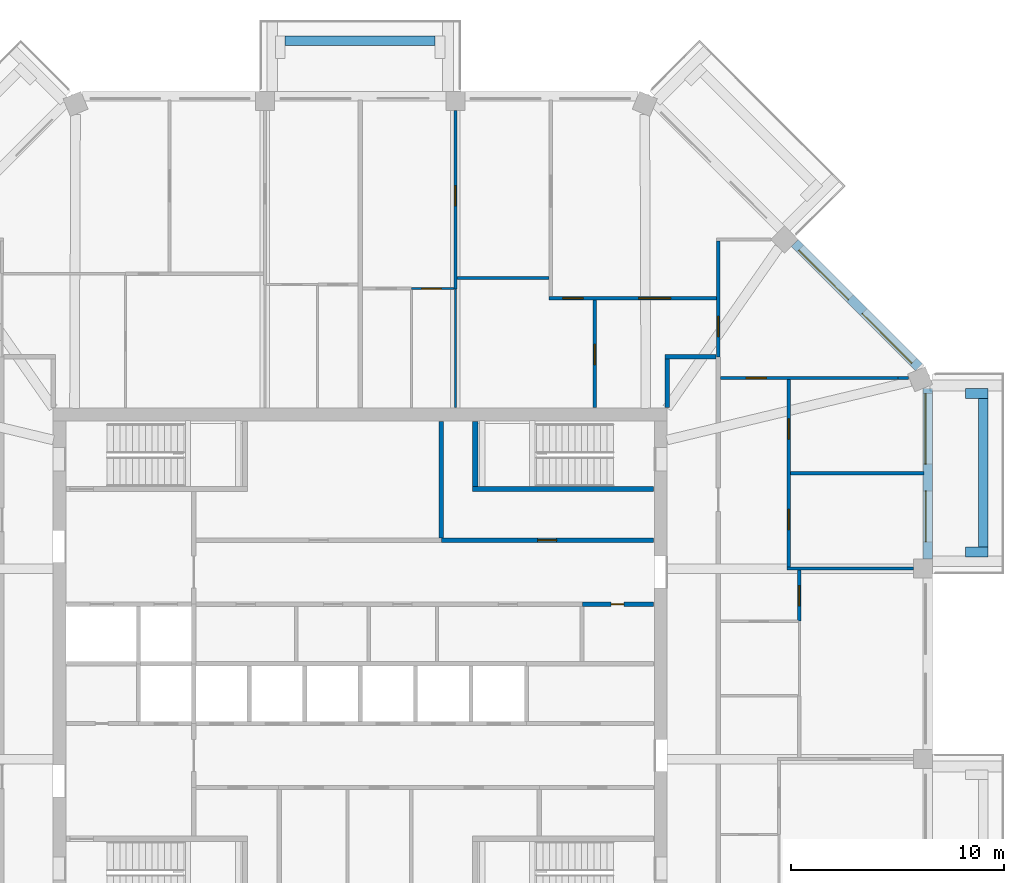
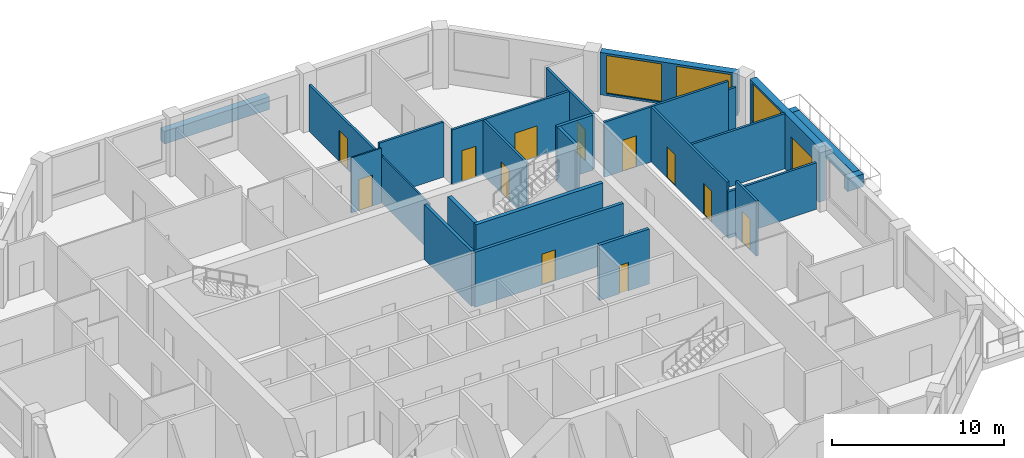
# One storey, part 9 of 12: 26 walls, 13 doors, 3 windows, 16 openings.
"""IFC4 building model written with IfcOpenShell, lengths in metres."""

from ifc_helpers import new_model, si_unit, direction, frame, frame_2d, origin, place, context, subcontext, project, spatial, rectangle, extrude, material, layer, layer_set, type_object, element, fill, save


model = new_model("IFC4")

# Units and contexts
model_context = context("Model", 3, precision=1e-05, world=origin(), true_north=direction((0.0, 1.0)))
body_context = subcontext(model_context, "Body", "Model", "MODEL_VIEW")
ifc_project = project(units=[si_unit("LENGTHUNIT", "METRE"), si_unit("AREAUNIT", "SQUARE_METRE"), si_unit("VOLUMEUNIT", "CUBIC_METRE"), si_unit("PLANEANGLEUNIT", "RADIAN"), si_unit("MASSUNIT", "GRAM", prefix="KILO")], contexts=[model_context])

# Site, building, storey
site_placement = place(None, origin())
site = spatial("IfcSite", under=ifc_project, at=site_placement, CompositionType="ELEMENT")
building_placement = place(site_placement, origin())
building = spatial("IfcBuilding", under=site, at=building_placement, Name="Msitu Wima Residences", CompositionType="ELEMENT")
storey_placement = place(building_placement, frame((0.0, 0.0, 310.5)))
storey = spatial("IfcBuildingStorey", under=building, at=storey_placement, Name="L72", CompositionType="ELEMENT", Elevation=310.5)

# Walls
ifc_material_1 = material(Name="Facing brick")
ifc_layer_1 = layer(ifc_material_1, 0.06494140625, Name="Facing brick")
ifc_material_2 = material(Name="Concrete C40/50", Category="concrete")
ifc_layer_2 = layer(ifc_material_2, 0.156005859375, Name="Concrete C40/50")
ifc_material_3 = material(Name="Waterproofing membrane")
ifc_layer_3 = layer(ifc_material_3, 0.00390625, Name="Waterproofing membrane")
ifc_material_4 = material(Name="Planting soil and planting")
ifc_layer_4 = layer(ifc_material_4, 0.22509765625, Name="Planting soil and planting")
ifc_layer_set_1 = layer_set([ifc_layer_1, ifc_layer_2, ifc_layer_3, ifc_layer_4], Name="Concrete C40/50")
wall_type_1 = type_object("IfcWallType", Name="Balcony planter PLANTER PL450", PredefinedType="USERDEFINED", material=ifc_layer_set_1)
wall_1_placement = place(storey_placement, frame((29.22509765625, 5.468505859375, 0.0), z_axis=(0.0, 0.0, 1.0), x_axis=(0.0, 1.0, 0.0)))
element("IfcWall", 1, at=wall_1_placement, inside=storey, type_object=wall_type_1, Name="Balcony planter E2 L72", ObjectType="PLANTER", PredefinedType="USERDEFINED", context=body_context, shape_type="SweptSolid", body=[
    extrude(rectangle(XDim=6.9873046875, YDim=0.449951171875, at=frame_2d((3.49365234375, 0.0))), origin(), (0.0, 0.0, 1.0), 0.89990234375),
])
for number, where, z_axis, x_axis, name in (
    (2, (28.39990234375, 5.24365234375, 0.0), (0.0, 0.0, 1.0), (1.0, 0.0, 0.0), "Balcony planter E2 L72"),
    (3, (28.39990234375, 12.680908203125, 0.0), (0.0, 0.0, 1.0), (1.0, 0.0, 0.0), "Balcony planter E2 L72"),
):
    element("IfcWall", number, at=place(storey_placement, frame(where, z_axis=z_axis, x_axis=x_axis)), inside=storey, type_object=wall_type_1, Name=name, ObjectType="PLANTER", PredefinedType="USERDEFINED", context=body_context, shape_type="SweptSolid", body=[
        extrude(rectangle(XDim=1.050048828125, YDim=0.449951171875, at=frame_2d((0.52490234375, 0.0))), origin(), (0.0, 0.0, 1.0), 0.89990234375),
    ])
wall_2_placement = place(storey_placement, frame((3.5185546875, 29.22509765625, 0.0), z_axis=(0.0, 0.0, 1.0), x_axis=(-1.0, 0.0, 0.0)))
element("IfcWall", 4, at=wall_2_placement, inside=storey, type_object=wall_type_1, Name="Balcony planter N1 L72", ObjectType="PLANTER", PredefinedType="USERDEFINED", context=body_context, shape_type="SweptSolid", body=[
    extrude(rectangle(XDim=7.037109375, YDim=0.449951171875, at=frame_2d((3.5185546875, 0.0))), origin(), (0.0, 0.0, 1.0), 0.89990234375),
])

# Wall, openings, door, window
ifc_material_5 = material(Name="Brick (red buff mix)", Category="masonry")
ifc_layer_5 = layer(ifc_material_5, 0.449951171875)
ifc_layer_set_2 = layer_set([ifc_layer_5], Name="Brick (red buff mix)")
wall_type_2 = type_object("IfcWallType", Name="Brick infill wall BW450", PredefinedType="SOLIDWALL", material=ifc_layer_set_2)
wall_3_placement = place(storey_placement, frame((26.625, 4.918701171875, 0.0), z_axis=(0.0, 0.0, 1.0), x_axis=(0.0, 1.0, 0.0)))
wall_3 = element("IfcWall", 5, at=wall_3_placement, inside=storey, type_object=wall_type_2, Name="Brick infill wall L72 E2", PredefinedType="SOLIDWALL", context=body_context, shape_type="SweptSolid", body=[
    extrude(rectangle(XDim=8.0, YDim=0.449951171875, at=frame_2d((4.0, 0.0))), origin(), (0.0, 0.0, 1.0), 3.89990234375),
])
opening_1_placement = place(wall_3_placement, frame((0.800048828125, 0.0, 0.0)))
opening_1 = element("IfcOpeningElement", 6, at=opening_1_placement, cuts=wall_3, Name="Opening D72.002", PredefinedType="OPENING", context=body_context, shape_type="SweptSolid", body=[
    extrude(rectangle(XDim=2.39990234375, YDim=2.699951171875, at=frame_2d((1.199951171875, 1.35009765625))), frame((0.0, 0.23486328125, 0.0), z_axis=(0.0, -1.0, 0.0), x_axis=(1.0, 0.0, 0.0)), (0.0, 0.0, 1.0), 0.469970703125),
])
opening_2_placement = place(wall_3_placement, frame((4.4501953125, 0.0, 1.050048828125)))
opening_2 = element("IfcOpeningElement", 7, at=opening_2_placement, cuts=wall_3, Name="Opening W72.004", PredefinedType="OPENING", context=body_context, shape_type="SweptSolid", body=[
    extrude(rectangle(XDim=3.300048828125, YDim=2.699951171875, at=frame_2d((1.64990234375, 1.35009765625))), frame((0.0, 0.23486328125, 0.0), z_axis=(0.0, -1.0, 0.0), x_axis=(1.0, 0.0, 0.0)), (0.0, 0.0, 1.0), 0.469970703125),
])
ifc_material_6 = material(Name="Anodised aluminium, bronze finish, clear low-emissivity double glazing", Category="aluminium")
door_type_1 = type_object("IfcDoorType", Name="Balcony door D2400x2700", OperationType="SLIDING_TO_LEFT", PredefinedType="DOOR", material=ifc_material_6)
door_1_placement = place(opening_1_placement, origin())
door_1 = element("IfcDoor", 8, at=door_1_placement, inside=storey, type_object=door_type_1, Name="Balcony door L72 E2", OperationType="SINGLE_SWING_LEFT", OverallHeight=2.699951171875, OverallWidth=2.39990234375, PredefinedType="DOOR", context=body_context, shape_type="SweptSolid", body=[
    extrude(rectangle(XDim=2.39990234375, YDim=2.699951171875, at=frame_2d((1.199951171875, 1.35009765625))), frame((0.0, 0.1298828125, 0.0), z_axis=(0.0, -1.0, 0.0), x_axis=(1.0, 0.0, 0.0)), (0.0, 0.0, 1.0), 0.050048828125),
])
fill(opening_1, door_1)
window_type = type_object("IfcWindowType", Name="Window W3300x2700", PartitioningType="DOUBLE_PANEL_VERTICAL", PredefinedType="WINDOW", material=ifc_material_6)
window_1_placement = place(opening_2_placement, origin())
window_1 = element("IfcWindow", 9, at=window_1_placement, inside=storey, type_object=window_type, Name="Window L72 E2.2", OverallHeight=2.699951171875, OverallWidth=3.300048828125, PartitioningType="SINGLE_PANEL", PredefinedType="WINDOW", context=body_context, shape_type="SweptSolid", body=[
    extrude(rectangle(XDim=3.300048828125, YDim=2.699951171875, at=frame_2d((1.64990234375, 1.35009765625))), frame((0.0, 0.135009765625, 0.0), z_axis=(0.0, -1.0, 0.0), x_axis=(1.0, 0.0, 0.0)), (0.0, 0.0, 1.0), 0.06005859375),
])
fill(opening_2, window_1)

# Wall, openings, windows
wall_4_placement = place(storey_placement, frame((26.214599609375, 13.909423828125, 0.89990234375), z_axis=(0.0, 0.0, 1.0), x_axis=(-0.707106781187, 0.707106781187, 0.0)))
wall_4 = element("IfcWall", 10, at=wall_4_placement, inside=storey, type_object=wall_type_2, Name="Brick infill wall L72 NE0", PredefinedType="SOLIDWALL", context=body_context, shape_type="SweptSolid", body=[
    extrude(rectangle(XDim=8.251220703125, YDim=0.449951171875, at=frame_2d((4.12548828125, 0.0))), origin(), (0.0, 0.0, 1.0), 3.0),
])
opening_3_placement = place(wall_4_placement, frame((0.37548828125, 0.0, 0.14990234375)))
opening_3 = element("IfcOpeningElement", 11, at=opening_3_placement, cuts=wall_4, Name="Opening W72.010", PredefinedType="OPENING", context=body_context, shape_type="SweptSolid", body=[
    extrude(rectangle(XDim=3.300048828125, YDim=2.699951171875, at=frame_2d((1.64990234375, 1.35009765625))), frame((0.0, 0.23486328125, 0.0), z_axis=(0.0, -1.0, 0.0), x_axis=(1.0, 0.0, 0.0)), (0.0, 0.0, 1.0), 0.469970703125),
])
opening_4_placement = place(wall_4_placement, frame((4.57568359375, 0.0, 0.14990234375)))
opening_4 = element("IfcOpeningElement", 12, at=opening_4_placement, cuts=wall_4, Name="Opening W72.011", PredefinedType="OPENING", context=body_context, shape_type="SweptSolid", body=[
    extrude(rectangle(XDim=3.300048828125, YDim=2.699951171875, at=frame_2d((1.64990234375, 1.35009765625))), frame((0.0, 0.23486328125, 0.0), z_axis=(0.0, -1.0, 0.0), x_axis=(1.0, 0.0, 0.0)), (0.0, 0.0, 1.0), 0.469970703125),
])
window_2_placement = place(opening_3_placement, origin())
window_2 = element("IfcWindow", 13, at=window_2_placement, inside=storey, type_object=window_type, Name="Window L72 NE0.1", OverallHeight=2.699951171875, OverallWidth=3.300048828125, PartitioningType="SINGLE_PANEL", PredefinedType="WINDOW", context=body_context, shape_type="SweptSolid", body=[
    extrude(rectangle(XDim=3.300048828125, YDim=2.699951171875, at=frame_2d((1.64990234375, 1.35009765625))), frame((0.0, 0.135009765625, 0.0), z_axis=(0.0, -1.0, 0.0), x_axis=(1.0, 0.0, 0.0)), (0.0, 0.0, 1.0), 0.06005859375),
])
fill(opening_3, window_2)
window_3_placement = place(opening_4_placement, origin())
window_3 = element("IfcWindow", 14, at=window_3_placement, inside=storey, type_object=window_type, Name="Window L72 NE0.2", OverallHeight=2.699951171875, OverallWidth=3.300048828125, PartitioningType="SINGLE_PANEL", PredefinedType="WINDOW", context=body_context, shape_type="SweptSolid", body=[
    extrude(rectangle(XDim=3.300048828125, YDim=2.699951171875, at=frame_2d((1.64990234375, 1.35009765625))), frame((0.0, 0.135009765625, 0.0), z_axis=(0.0, -1.0, 0.0), x_axis=(1.0, 0.0, 0.0)), (0.0, 0.0, 1.0), 0.06005859375),
])
fill(opening_4, window_3)

# Walls
ifc_material_7 = material(Name="Plaster")
ifc_layer_6 = layer(ifc_material_7, 0.011962890625, Name="Plaster")
ifc_material_8 = material(Name="Concrete blockwork", Category="masonry")
ifc_layer_7 = layer(ifc_material_8, 0.176025390625, Name="Concrete blockwork")
ifc_layer_8 = layer(ifc_material_7, 0.011962890625, Name="Plaster")
ifc_layer_set_3 = layer_set([ifc_layer_6, ifc_layer_7, ifc_layer_8], Name="Concrete blockwork")
wall_type_3 = type_object("IfcWallType", Name="Corridor wall FW200", PredefinedType="PARTITIONING", material=ifc_layer_set_3)
wall_5_placement = place(storey_placement, frame((14.39990234375, 12.030029296875, 0.0), z_axis=(0.0, 0.0, 1.0), x_axis=(0.0, 1.0, 0.0)))
element("IfcWall", 15, at=wall_5_placement, inside=storey, type_object=wall_type_3, Name="Corridor wall", PredefinedType="PARTITIONING", context=body_context, shape_type="SweptSolid", body=[
    extrude(rectangle(XDim=2.27001953125, YDim=0.199951171875, at=frame_2d((1.135009765625, 0.0))), origin(), (0.0, 0.0, 1.0), 3.89990234375),
])
wall_6_placement = place(storey_placement, frame((14.300048828125, 14.39990234375, 0.0), z_axis=(0.0, 0.0, 1.0), x_axis=(1.0, 0.0, 0.0)))
element("IfcWall", 16, at=wall_6_placement, inside=storey, type_object=wall_type_3, Name="Corridor wall", PredefinedType="PARTITIONING", context=body_context, shape_type="SweptSolid", body=[
    extrude(rectangle(XDim=2.39990234375, YDim=0.199951171875, at=frame_2d((1.199951171875, 0.0))), origin(), (0.0, 0.0, 1.0), 3.89990234375),
])

# Wall, opening, door
ifc_layer_9 = layer(ifc_material_7, 0.011962890625, Name="Plaster")
ifc_layer_10 = layer(ifc_material_8, 0.1259765625, Name="Concrete blockwork")
ifc_layer_11 = layer(ifc_material_7, 0.011962890625, Name="Plaster")
ifc_layer_set_4 = layer_set([ifc_layer_9, ifc_layer_10, ifc_layer_11], Name="Concrete blockwork")
wall_type_4 = type_object("IfcWallType", Name="Partition PW150", PredefinedType="PARTITIONING", material=ifc_layer_set_4)
wall_7_placement = place(storey_placement, frame((4.46875, 17.580078125, 0.0), z_axis=(0.0, 0.0, 1.0), x_axis=(0.0, 1.0, 0.0)))
wall_7 = element("IfcWall", 17, at=wall_7_placement, inside=storey, type_object=wall_type_4, Name="Partition", PredefinedType="PARTITIONING", context=body_context, shape_type="SweptSolid", body=[
    extrude(rectangle(XDim=8.369873046875, YDim=0.14990234375, at=frame_2d((4.18505859375, 0.0))), origin(), (0.0, 0.0, 1.0), 3.300048828125),
])
opening_5_placement = place(wall_7_placement, frame((3.89990234375, 0.0, 0.0)))
opening_5 = element("IfcOpeningElement", 18, at=opening_5_placement, cuts=wall_7, Name="Opening D72.024", PredefinedType="OPENING", context=body_context, shape_type="SweptSolid", body=[
    extrude(rectangle(XDim=0.949951171875, YDim=2.199951171875, at=frame_2d((0.47509765625, 1.10009765625))), frame((0.0, 0.0849609375, 0.0), z_axis=(0.0, -1.0, 0.0), x_axis=(1.0, 0.0, 0.0)), (0.0, 0.0, 1.0), 0.169921875),
])
ifc_material_9 = material(Name="Timber flush door", Category="wood")
door_type_2 = type_object("IfcDoorType", Name="Room door D12 950x2200", OperationType="SINGLE_SWING_LEFT", PredefinedType="DOOR", material=ifc_material_9)
door_2_placement = place(opening_5_placement, origin())
door_2 = element("IfcDoor", 19, at=door_2_placement, inside=storey, type_object=door_type_2, Name="Room door", OperationType="SINGLE_SWING_RIGHT", OverallHeight=2.199951171875, OverallWidth=0.949951171875, PredefinedType="DOOR", context=body_context, shape_type="SweptSolid", body=[
    extrude(rectangle(XDim=0.949951171875, YDim=2.199951171875, at=frame_2d((0.47509765625, 1.10009765625))), frame((0.0, 0.02490234375, 0.0), z_axis=(0.0, -1.0, 0.0), x_axis=(1.0, 0.0, 0.0)), (0.0, 0.0, 1.0), 0.050048828125),
])
fill(opening_5, door_2)

# Wall
wall_8_placement = place(storey_placement, frame((4.543701171875, 18.10009765625, 0.0), z_axis=(0.0, 0.0, 1.0), x_axis=(1.0, 0.0, 0.0)))
element("IfcWall", 20, at=wall_8_placement, inside=storey, type_object=wall_type_4, Name="Partition", PredefinedType="PARTITIONING", context=body_context, shape_type="SweptSolid", body=[
    extrude(rectangle(XDim=4.318603515625, YDim=0.14990234375, at=frame_2d((2.1591796875, 0.0))), origin(), (0.0, 0.0, 1.0), 3.89990234375),
])

# Wall, openings, doors
wall_9_placement = place(storey_placement, frame((8.8623046875, 17.14990234375, 0.0), z_axis=(0.0, 0.0, 1.0), x_axis=(1.0, 0.0, 0.0)))
wall_9 = element("IfcWall", 21, at=wall_9_placement, inside=storey, type_object=wall_type_4, Name="Partition", PredefinedType="PARTITIONING", context=body_context, shape_type="SweptSolid", body=[
    extrude(rectangle(XDim=7.86279296875, YDim=0.14990234375, at=frame_2d((3.931396484375, 0.0))), origin(), (0.0, 0.0, 1.0), 3.89990234375),
])
opening_6_placement = place(wall_9_placement, frame((4.199951171875, 0.0, 0.0)))
opening_6 = element("IfcOpeningElement", 22, at=opening_6_placement, cuts=wall_9, Name="Opening D72.014", PredefinedType="OPENING", context=body_context, shape_type="SweptSolid", body=[
    extrude(rectangle(XDim=1.5, YDim=2.199951171875, at=frame_2d((0.75, 1.10009765625))), frame((0.0, 0.0849609375, 0.0), z_axis=(0.0, -1.0, 0.0), x_axis=(1.0, 0.0, 0.0)), (0.0, 0.0, 1.0), 0.169921875),
])
opening_7_placement = place(wall_9_placement, frame((0.64990234375, 0.0, 0.0)))
opening_7 = element("IfcOpeningElement", 23, at=opening_7_placement, cuts=wall_9, Name="Opening D72.029", PredefinedType="OPENING", context=body_context, shape_type="SweptSolid", body=[
    extrude(rectangle(XDim=0.949951171875, YDim=2.199951171875, at=frame_2d((0.47509765625, 1.10009765625))), frame((0.0, 0.0849609375, 0.0), z_axis=(0.0, -1.0, 0.0), x_axis=(1.0, 0.0, 0.0)), (0.0, 0.0, 1.0), 0.169921875),
])
ifc_material_10 = material(Name="Timber double door", Category="wood")
door_type_3 = type_object("IfcDoorType", Name="Double door D04 1500x2200", OperationType="DOUBLE_DOOR_SINGLE_SWING", PredefinedType="DOOR", material=ifc_material_10)
door_3_placement = place(opening_6_placement, origin())
door_3 = element("IfcDoor", 24, at=door_3_placement, inside=storey, type_object=door_type_3, Name="Double door", OperationType="DOUBLE_DOOR_SINGLE_SWING", OverallHeight=2.199951171875, OverallWidth=1.5, PredefinedType="DOOR", context=body_context, shape_type="SweptSolid", body=[
    extrude(rectangle(XDim=1.5, YDim=2.199951171875, at=frame_2d((0.75, 1.10009765625))), frame((0.0, 0.02490234375, 0.0), z_axis=(0.0, -1.0, 0.0), x_axis=(1.0, 0.0, 0.0)), (0.0, 0.0, 1.0), 0.050048828125),
])
fill(opening_6, door_3)
door_4_placement = place(opening_7_placement, origin())
door_4 = element("IfcDoor", 25, at=door_4_placement, inside=storey, type_object=door_type_2, Name="Room door", OperationType="SINGLE_SWING_LEFT", OverallHeight=2.199951171875, OverallWidth=0.949951171875, PredefinedType="DOOR", context=body_context, shape_type="SweptSolid", body=[
    extrude(rectangle(XDim=0.949951171875, YDim=2.199951171875, at=frame_2d((0.47509765625, 1.10009765625))), frame((0.0, 0.02490234375, 0.0), z_axis=(0.0, -1.0, 0.0), x_axis=(1.0, 0.0, 0.0)), (0.0, 0.0, 1.0), 0.050048828125),
])
fill(opening_7, door_4)

# Wall, opening, door
wall_10_placement = place(storey_placement, frame((11.0, 12.030029296875, 0.0), z_axis=(0.0, 0.0, 1.0), x_axis=(0.0, 1.0, 0.0)))
wall_10 = element("IfcWall", 26, at=wall_10_placement, inside=storey, type_object=wall_type_4, Name="Partition", PredefinedType="PARTITIONING", context=body_context, shape_type="SweptSolid", body=[
    extrude(rectangle(XDim=5.044921875, YDim=0.14990234375, at=frame_2d((2.5224609375, 0.0))), origin(), (0.0, 0.0, 1.0), 3.89990234375),
])
opening_8_placement = place(wall_10_placement, frame((2.0, 0.0, 0.0)))
opening_8 = element("IfcOpeningElement", 27, at=opening_8_placement, cuts=wall_10, Name="Opening D72.020", PredefinedType="OPENING", context=body_context, shape_type="SweptSolid", body=[
    extrude(rectangle(XDim=0.949951171875, YDim=2.199951171875, at=frame_2d((0.47509765625, 1.10009765625))), frame((0.0, 0.0849609375, 0.0), z_axis=(0.0, -1.0, 0.0), x_axis=(1.0, 0.0, 0.0)), (0.0, 0.0, 1.0), 0.169921875),
])
door_5_placement = place(opening_8_placement, origin())
door_5 = element("IfcDoor", 28, at=door_5_placement, inside=storey, type_object=door_type_2, Name="Room door", OperationType="SINGLE_SWING_LEFT", OverallHeight=2.199951171875, OverallWidth=0.949951171875, PredefinedType="DOOR", context=body_context, shape_type="SweptSolid", body=[
    extrude(rectangle(XDim=0.949951171875, YDim=2.199951171875, at=frame_2d((0.47509765625, 1.10009765625))), frame((0.0, 0.02490234375, 0.0), z_axis=(0.0, -1.0, 0.0), x_axis=(1.0, 0.0, 0.0)), (0.0, 0.0, 1.0), 0.050048828125),
])
fill(opening_8, door_5)

wall_11_placement = place(storey_placement, frame((16.89990234375, 13.406005859375, 0.0), z_axis=(0.0, 0.0, 1.0), x_axis=(1.0, 0.0, 0.0)))
wall_11 = element("IfcWall", 29, at=wall_11_placement, inside=storey, type_object=wall_type_4, Name="Partition", PredefinedType="PARTITIONING", context=body_context, shape_type="SweptSolid", body=[
    extrude(rectangle(XDim=8.32421875, YDim=0.14990234375, at=frame_2d((4.162109375, 0.0))), origin(), (0.0, 0.0, 1.0), 3.89990234375),
])
opening_9_placement = place(wall_11_placement, frame((1.199951171875, 0.0, 0.0)))
opening_9 = element("IfcOpeningElement", 30, at=opening_9_placement, cuts=wall_11, Name="Opening D72.012", PredefinedType="OPENING", context=body_context, shape_type="SweptSolid", body=[
    extrude(rectangle(XDim=0.949951171875, YDim=2.199951171875, at=frame_2d((0.47509765625, 1.10009765625))), frame((0.0, 0.0849609375, 0.0), z_axis=(0.0, -1.0, 0.0), x_axis=(1.0, 0.0, 0.0)), (0.0, 0.0, 1.0), 0.169921875),
])
door_6_placement = place(opening_9_placement, origin())
door_6 = element("IfcDoor", 31, at=door_6_placement, inside=storey, type_object=door_type_2, Name="Room door", OperationType="SINGLE_SWING_LEFT", OverallHeight=2.199951171875, OverallWidth=0.949951171875, PredefinedType="DOOR", context=body_context, shape_type="SweptSolid", body=[
    extrude(rectangle(XDim=0.949951171875, YDim=2.199951171875, at=frame_2d((0.47509765625, 1.10009765625))), frame((0.0, 0.02490234375, 0.0), z_axis=(0.0, -1.0, 0.0), x_axis=(1.0, 0.0, 0.0)), (0.0, 0.0, 1.0), 0.050048828125),
])
fill(opening_9, door_6)

# Wall
wall_12_placement = place(storey_placement, frame((25.22412109375, 13.406005859375, 0.0), z_axis=(0.0, 0.0, 1.0), x_axis=(1.0, 0.0, 0.0)))
element("IfcWall", 32, at=wall_12_placement, inside=storey, type_object=wall_type_4, Name="Partition", PredefinedType="PARTITIONING", context=body_context, shape_type="SweptSolid", body=[
    extrude(rectangle(XDim=0.507080078125, YDim=0.14990234375, at=frame_2d((0.25341796875, 0.0))), origin(), (0.0, 0.0, 1.0), 3.300048828125),
])

# Wall, opening, door
wall_13_placement = place(storey_placement, frame((16.800048828125, 14.39990234375, 0.0), z_axis=(0.0, 0.0, 1.0), x_axis=(0.0, 1.0, 0.0)))
wall_13 = element("IfcWall", 33, at=wall_13_placement, inside=storey, type_object=wall_type_4, Name="Partition", PredefinedType="PARTITIONING", context=body_context, shape_type="SweptSolid", body=[
    extrude(rectangle(XDim=5.427978515625, YDim=0.14990234375, at=frame_2d((2.7138671875, 0.0))), origin(), (0.0, 0.0, 1.0), 3.89990234375),
])
opening_10_placement = place(wall_13_placement, frame((0.949951171875, 0.0, 0.0)))
opening_10 = element("IfcOpeningElement", 34, at=opening_10_placement, cuts=wall_13, Name="Opening D72.013", PredefinedType="OPENING", context=body_context, shape_type="SweptSolid", body=[
    extrude(rectangle(XDim=0.949951171875, YDim=2.199951171875, at=frame_2d((0.47509765625, 1.10009765625))), frame((0.0, 0.0849609375, 0.0), z_axis=(0.0, -1.0, 0.0), x_axis=(1.0, 0.0, 0.0)), (0.0, 0.0, 1.0), 0.169921875),
])
door_7_placement = place(opening_10_placement, origin())
door_7 = element("IfcDoor", 35, at=door_7_placement, inside=storey, type_object=door_type_2, Name="Room door", OperationType="SINGLE_SWING_RIGHT", OverallHeight=2.199951171875, OverallWidth=0.949951171875, PredefinedType="DOOR", context=body_context, shape_type="SweptSolid", body=[
    extrude(rectangle(XDim=0.949951171875, YDim=2.199951171875, at=frame_2d((0.47509765625, 1.10009765625))), frame((0.0, 0.02490234375, 0.0), z_axis=(0.0, -1.0, 0.0), x_axis=(1.0, 0.0, 0.0)), (0.0, 0.0, 1.0), 0.050048828125),
])
fill(opening_10, door_7)

# Wall, openings, doors
wall_14_placement = place(storey_placement, frame((20.10009765625, 4.543701171875, 0.0), z_axis=(0.0, 0.0, 1.0), x_axis=(0.0, 1.0, 0.0)))
wall_14 = element("IfcWall", 36, at=wall_14_placement, inside=storey, type_object=wall_type_4, Name="Partition", PredefinedType="PARTITIONING", context=body_context, shape_type="SweptSolid", body=[
    extrude(rectangle(XDim=8.787109375, YDim=0.14990234375, at=frame_2d((4.3935546875, 0.0))), origin(), (0.0, 0.0, 1.0), 3.89990234375),
])
opening_11_placement = place(wall_14_placement, frame((6.0, 0.0, 0.0)))
opening_11 = element("IfcOpeningElement", 37, at=opening_11_placement, cuts=wall_14, Name="Opening D72.030", PredefinedType="OPENING", context=body_context, shape_type="SweptSolid", body=[
    extrude(rectangle(XDim=0.949951171875, YDim=2.199951171875, at=frame_2d((0.47509765625, 1.10009765625))), frame((0.0, 0.0849609375, 0.0), z_axis=(0.0, -1.0, 0.0), x_axis=(1.0, 0.0, 0.0)), (0.0, 0.0, 1.0), 0.169921875),
])
opening_12_placement = place(wall_14_placement, frame((1.75, 0.0, 0.0)))
opening_12 = element("IfcOpeningElement", 38, at=opening_12_placement, cuts=wall_14, Name="Opening D72.031", PredefinedType="OPENING", context=body_context, shape_type="SweptSolid", body=[
    extrude(rectangle(XDim=0.949951171875, YDim=2.199951171875, at=frame_2d((0.47509765625, 1.10009765625))), frame((0.0, 0.0849609375, 0.0), z_axis=(0.0, -1.0, 0.0), x_axis=(1.0, 0.0, 0.0)), (0.0, 0.0, 1.0), 0.169921875),
])
door_8_placement = place(opening_11_placement, origin())
door_8 = element("IfcDoor", 39, at=door_8_placement, inside=storey, type_object=door_type_2, Name="Room door", OperationType="SINGLE_SWING_RIGHT", OverallHeight=2.199951171875, OverallWidth=0.949951171875, PredefinedType="DOOR", context=body_context, shape_type="SweptSolid", body=[
    extrude(rectangle(XDim=0.949951171875, YDim=2.199951171875, at=frame_2d((0.47509765625, 1.10009765625))), frame((0.0, 0.02490234375, 0.0), z_axis=(0.0, -1.0, 0.0), x_axis=(1.0, 0.0, 0.0)), (0.0, 0.0, 1.0), 0.050048828125),
])
fill(opening_11, door_8)
door_9_placement = place(opening_12_placement, origin())
door_9 = element("IfcDoor", 40, at=door_9_placement, inside=storey, type_object=door_type_2, Name="Room door", OperationType="SINGLE_SWING_LEFT", OverallHeight=2.199951171875, OverallWidth=0.949951171875, PredefinedType="DOOR", context=body_context, shape_type="SweptSolid", body=[
    extrude(rectangle(XDim=0.949951171875, YDim=2.199951171875, at=frame_2d((0.47509765625, 1.10009765625))), frame((0.0, 0.02490234375, 0.0), z_axis=(0.0, -1.0, 0.0), x_axis=(1.0, 0.0, 0.0)), (0.0, 0.0, 1.0), 0.050048828125),
])
fill(opening_12, door_9)

# Walls
wall_15_placement = place(storey_placement, frame((20.02490234375, 4.46875, 0.0), z_axis=(0.0, 0.0, 1.0), x_axis=(1.0, 0.0, 0.0)))
element("IfcWall", 41, at=wall_15_placement, inside=storey, type_object=wall_type_4, Name="Partition", PredefinedType="PARTITIONING", context=body_context, shape_type="SweptSolid", body=[
    extrude(rectangle(XDim=5.925048828125, YDim=0.14990234375, at=frame_2d((2.96240234375, 0.0))), origin(), (0.0, 0.0, 1.0), 3.300048828125),
])
wall_16_placement = place(storey_placement, frame((20.175048828125, 8.937255859375, 0.0), z_axis=(0.0, 0.0, 1.0), x_axis=(1.0, 0.0, 0.0)))
element("IfcWall", 42, at=wall_16_placement, inside=storey, type_object=wall_type_4, Name="Partition", PredefinedType="PARTITIONING", context=body_context, shape_type="SweptSolid", body=[
    extrude(rectangle(XDim=6.280029296875, YDim=0.14990234375, at=frame_2d((3.14013671875, 0.0))), origin(), (0.0, 0.0, 1.0), 3.89990234375),
])

# Wall, opening, door
wall_17_placement = place(storey_placement, frame((20.60009765625, 2.02001953125, 0.0), z_axis=(0.0, 0.0, 1.0), x_axis=(0.0, 1.0, 0.0)))
wall_17 = element("IfcWall", 43, at=wall_17_placement, inside=storey, type_object=wall_type_4, Name="Partition", PredefinedType="PARTITIONING", context=body_context, shape_type="SweptSolid", body=[
    extrude(rectangle(XDim=2.37353515625, YDim=0.14990234375, at=frame_2d((1.186767578125, 0.0))), origin(), (0.0, 0.0, 1.0), 3.89990234375),
])
opening_13_placement = place(wall_17_placement, frame((0.699951171875, 0.0, 0.0)))
opening_13 = element("IfcOpeningElement", 44, at=opening_13_placement, cuts=wall_17, Name="Opening D72.032", PredefinedType="OPENING", context=body_context, shape_type="SweptSolid", body=[
    extrude(rectangle(XDim=0.949951171875, YDim=2.199951171875, at=frame_2d((0.47509765625, 1.10009765625))), frame((0.0, 0.0849609375, 0.0), z_axis=(0.0, -1.0, 0.0), x_axis=(1.0, 0.0, 0.0)), (0.0, 0.0, 1.0), 0.169921875),
])
door_10_placement = place(opening_13_placement, origin())
door_10 = element("IfcDoor", 45, at=door_10_placement, inside=storey, type_object=door_type_2, Name="Room door", OperationType="SINGLE_SWING_LEFT", OverallHeight=2.199951171875, OverallWidth=0.949951171875, PredefinedType="DOOR", context=body_context, shape_type="SweptSolid", body=[
    extrude(rectangle(XDim=0.949951171875, YDim=2.199951171875, at=frame_2d((0.47509765625, 1.10009765625))), frame((0.0, 0.02490234375, 0.0), z_axis=(0.0, -1.0, 0.0), x_axis=(1.0, 0.0, 0.0)), (0.0, 0.0, 1.0), 0.050048828125),
])
fill(opening_13, door_10)

ifc_layer_12 = layer(ifc_material_7, 0.011962890625, Name="Plaster")
ifc_material_11 = material(Name="Reinforced concrete blockwork", Category="masonry")
ifc_layer_13 = layer(ifc_material_11, 0.176025390625, Name="Reinforced concrete blockwork")
ifc_layer_14 = layer(ifc_material_7, 0.011962890625, Name="Plaster")
ifc_layer_set_5 = layer_set([ifc_layer_12, ifc_layer_13, ifc_layer_14], Name="Reinforced concrete blockwork")
wall_type_5 = type_object("IfcWallType", Name="Plant and riser wall PL200", PredefinedType="PARTITIONING", material=ifc_layer_set_5)
wall_18_placement = place(storey_placement, frame((3.820068359375, 5.800048828125, 0.0), z_axis=(0.0, 0.0, 1.0), x_axis=(1.0, 0.0, 0.0)))
wall_18 = element("IfcWall", 46, at=wall_18_placement, inside=storey, type_object=wall_type_5, Name="Plant and riser wall", PredefinedType="PARTITIONING", context=body_context, shape_type="SweptSolid", body=[
    extrude(rectangle(XDim=9.949951171875, YDim=0.199951171875, at=frame_2d((4.97509765625, 0.0))), origin(), (0.0, 0.0, 1.0), 3.89990234375),
])
opening_14_placement = place(wall_18_placement, frame((4.5, 0.0, 0.0)))
opening_14 = element("IfcOpeningElement", 47, at=opening_14_placement, cuts=wall_18, Name="Opening D72.070", PredefinedType="OPENING", context=body_context, shape_type="SweptSolid", body=[
    extrude(rectangle(XDim=0.89990234375, YDim=2.199951171875, at=frame_2d((0.449951171875, 1.10009765625))), frame((0.0, 0.10986328125, 0.0), z_axis=(0.0, -1.0, 0.0), x_axis=(1.0, 0.0, 0.0)), (0.0, 0.0, 1.0), 0.219970703125),
])
door_type_4 = type_object("IfcDoorType", Name="Service door D05 900x2200", OperationType="SINGLE_SWING_LEFT", PredefinedType="DOOR", material=ifc_material_9)
door_11_placement = place(opening_14_placement, origin())
door_11 = element("IfcDoor", 48, at=door_11_placement, inside=storey, type_object=door_type_4, Name="Service door", OperationType="SINGLE_SWING_LEFT", OverallHeight=2.199951171875, OverallWidth=0.89990234375, PredefinedType="DOOR", context=body_context, shape_type="SweptSolid", body=[
    extrude(rectangle(XDim=0.89990234375, YDim=2.199951171875, at=frame_2d((0.449951171875, 1.10009765625))), frame((0.0, 0.02490234375, 0.0), z_axis=(0.0, -1.0, 0.0), x_axis=(1.0, 0.0, 0.0)), (0.0, 0.0, 1.0), 0.050048828125),
])
fill(opening_14, door_11)

# Wall
wall_19_placement = place(storey_placement, frame((3.800048828125, 5.89990234375, 0.0), z_axis=(0.0, 0.0, 1.0), x_axis=(0.0, 1.0, 0.0)))
element("IfcWall", 49, at=wall_19_placement, inside=storey, type_object=wall_type_5, Name="Plant and riser wall", PredefinedType="PARTITIONING", context=body_context, shape_type="SweptSolid", body=[
    extrude(rectangle(XDim=5.47021484375, YDim=0.199951171875, at=frame_2d((2.735107421875, 0.0))), origin(), (0.0, 0.0, 1.0), 3.89990234375),
])

# Wall, opening, door
wall_20_placement = place(storey_placement, frame((10.419921875, 2.800048828125, 0.0), z_axis=(0.0, 0.0, 1.0), x_axis=(1.0, 0.0, 0.0)))
wall_20 = element("IfcWall", 50, at=wall_20_placement, inside=storey, type_object=wall_type_5, Name="Plant and riser wall", PredefinedType="PARTITIONING", context=body_context, shape_type="SweptSolid", body=[
    extrude(rectangle(XDim=3.35009765625, YDim=0.199951171875, at=frame_2d((1.675048828125, 0.0))), origin(), (0.0, 0.0, 1.0), 3.89990234375),
])
opening_15_placement = place(wall_20_placement, frame((1.35009765625, 0.0, 0.0)))
opening_15 = element("IfcOpeningElement", 51, at=opening_15_placement, cuts=wall_20, Name="Opening D72.082", PredefinedType="OPENING", context=body_context, shape_type="SweptSolid", body=[
    extrude(rectangle(XDim=0.60009765625, YDim=2.0, at=frame_2d((0.300048828125, 1.0))), frame((0.0, 0.10986328125, 0.0), z_axis=(0.0, -1.0, 0.0), x_axis=(1.0, 0.0, 0.0)), (0.0, 0.0, 1.0), 0.219970703125),
])
ifc_material_12 = material(Name="Steel access door, fire resisting", Category="steel")
door_type_5 = type_object("IfcDoorType", Name="Riser access door D08 600x2000", OperationType="SINGLE_SWING_LEFT", PredefinedType="DOOR", material=ifc_material_12)
door_12_placement = place(opening_15_placement, origin())
door_12 = element("IfcDoor", 52, at=door_12_placement, inside=storey, type_object=door_type_5, Name="Riser access door", OperationType="SINGLE_SWING_RIGHT", OverallHeight=2.0, OverallWidth=0.60009765625, PredefinedType="DOOR", context=body_context, shape_type="SweptSolid", body=[
    extrude(rectangle(XDim=0.60009765625, YDim=2.0, at=frame_2d((0.300048828125, 1.0))), frame((0.0, 0.02490234375, 0.0), z_axis=(0.0, -1.0, 0.0), x_axis=(1.0, 0.0, 0.0)), (0.0, 0.0, 1.0), 0.050048828125),
])
fill(opening_15, door_12)

# Walls
ifc_material_13 = material(Name="Concrete C50/60", Category="concrete")
ifc_layer_15 = layer(ifc_material_13, 0.25)
ifc_layer_set_6 = layer_set([ifc_layer_15], Name="Concrete C50/60")
wall_type_6 = type_object("IfcWallType", Name="Stair enclosure wall SW250", PredefinedType="SHEAR", material=ifc_layer_set_6)
wall_21_placement = place(storey_placement, frame((5.39990234375, 8.324951171875, 0.0), z_axis=(0.0, 0.0, 1.0), x_axis=(0.0, 1.0, 0.0)))
element("IfcWall", 53, at=wall_21_placement, inside=storey, type_object=wall_type_6, Name="Stair enclosure wall", PredefinedType="SHEAR", context=body_context, shape_type="SweptSolid", body=[
    extrude(rectangle(XDim=3.045166015625, YDim=0.25, at=frame_2d((1.5224609375, 0.0))), origin(), (0.0, 0.0, 1.0), 3.89990234375),
])
wall_22_placement = place(storey_placement, frame((5.27490234375, 8.199951171875, 0.0), z_axis=(0.0, 0.0, 1.0), x_axis=(1.0, 0.0, 0.0)))
element("IfcWall", 54, at=wall_22_placement, inside=storey, type_object=wall_type_6, Name="Stair enclosure wall", PredefinedType="SHEAR", context=body_context, shape_type="SweptSolid", body=[
    extrude(rectangle(XDim=8.4951171875, YDim=0.25, at=frame_2d((4.24755859375, 0.0))), origin(), (0.0, 0.0, 1.0), 3.89990234375),
])

# Wall, opening, door
ifc_material_14 = material(Name="Ceramic tiles")
ifc_layer_16 = layer(ifc_material_14, 0.008056640625, Name="Ceramic tiles")
ifc_material_15 = material(Name="Moisture-resistant board")
ifc_layer_17 = layer(ifc_material_15, 0.012451171875, Name="Moisture-resistant board")
ifc_material_16 = material(Name="Light-gauge stud framing with mineral wool")
ifc_layer_18 = layer(ifc_material_16, 0.06689453125, Name="Light-gauge stud framing with mineral wool")
ifc_layer_19 = layer(ifc_material_15, 0.012451171875, Name="Moisture-resistant board")
ifc_layer_set_7 = layer_set([ifc_layer_16, ifc_layer_17, ifc_layer_18, ifc_layer_19], Name="Light-gauge stud framing with mineral wool")
wall_type_7 = type_object("IfcWallType", Name="Wet wall PW100", PredefinedType="PARTITIONING", material=ifc_layer_set_7)
wall_23_placement = place(storey_placement, frame((2.39990234375, 17.60009765625, 0.0), z_axis=(0.0, 0.0, 1.0), x_axis=(1.0, 0.0, 0.0)))
wall_23 = element("IfcWall", 55, at=wall_23_placement, inside=storey, type_object=wall_type_7, Name="Wet wall", PredefinedType="PARTITIONING", context=body_context, shape_type="SweptSolid", body=[
    extrude(rectangle(XDim=1.99365234375, YDim=0.10009765625, at=frame_2d((0.996826171875, 0.0))), origin(), (0.0, 0.0, 1.0), 3.89990234375),
])
opening_16_placement = place(wall_23_placement, frame((0.5, 0.0, 0.0)))
opening_16 = element("IfcOpeningElement", 56, at=opening_16_placement, cuts=wall_23, Name="Opening D72.028", PredefinedType="OPENING", context=body_context, shape_type="SweptSolid", body=[
    extrude(rectangle(XDim=0.89990234375, YDim=2.199951171875, at=frame_2d((0.449951171875, 1.10009765625))), frame((0.0, 0.06005859375, 0.0), z_axis=(0.0, -1.0, 0.0), x_axis=(1.0, 0.0, 0.0)), (0.0, 0.0, 1.0), 0.1201171875),
])
ifc_material_17 = material(Name="Timber flush door, moisture resistant", Category="wood")
door_type_6 = type_object("IfcDoorType", Name="Bathroom door D03 900x2200", OperationType="SINGLE_SWING_LEFT", PredefinedType="DOOR", material=ifc_material_17)
door_13_placement = place(opening_16_placement, origin())
door_13 = element("IfcDoor", 57, at=door_13_placement, inside=storey, type_object=door_type_6, Name="Bathroom door", OperationType="SINGLE_SWING_RIGHT", OverallHeight=2.199951171875, OverallWidth=0.89990234375, PredefinedType="DOOR", context=body_context, shape_type="SweptSolid", body=[
    extrude(rectangle(XDim=0.89990234375, YDim=2.199951171875, at=frame_2d((0.449951171875, 1.10009765625))), frame((0.0, 0.02490234375, 0.0), z_axis=(0.0, -1.0, 0.0), x_axis=(1.0, 0.0, 0.0)), (0.0, 0.0, 1.0), 0.050048828125),
])
fill(opening_16, door_13)

# Wall
wall_24_placement = place(storey_placement, frame((4.46875, 12.030029296875, 0.0), z_axis=(0.0, 0.0, 1.0), x_axis=(0.0, 1.0, 0.0)))
element("IfcWall", 58, at=wall_24_placement, inside=storey, type_object=wall_type_7, Name="Wet wall", PredefinedType="PARTITIONING", context=body_context, shape_type="SweptSolid", body=[
    extrude(rectangle(XDim=5.550048828125, YDim=0.10009765625, at=frame_2d((2.77490234375, 0.0))), origin(), (0.0, 0.0, 1.0), 3.300048828125),
])

save(model, "model.ifc")
